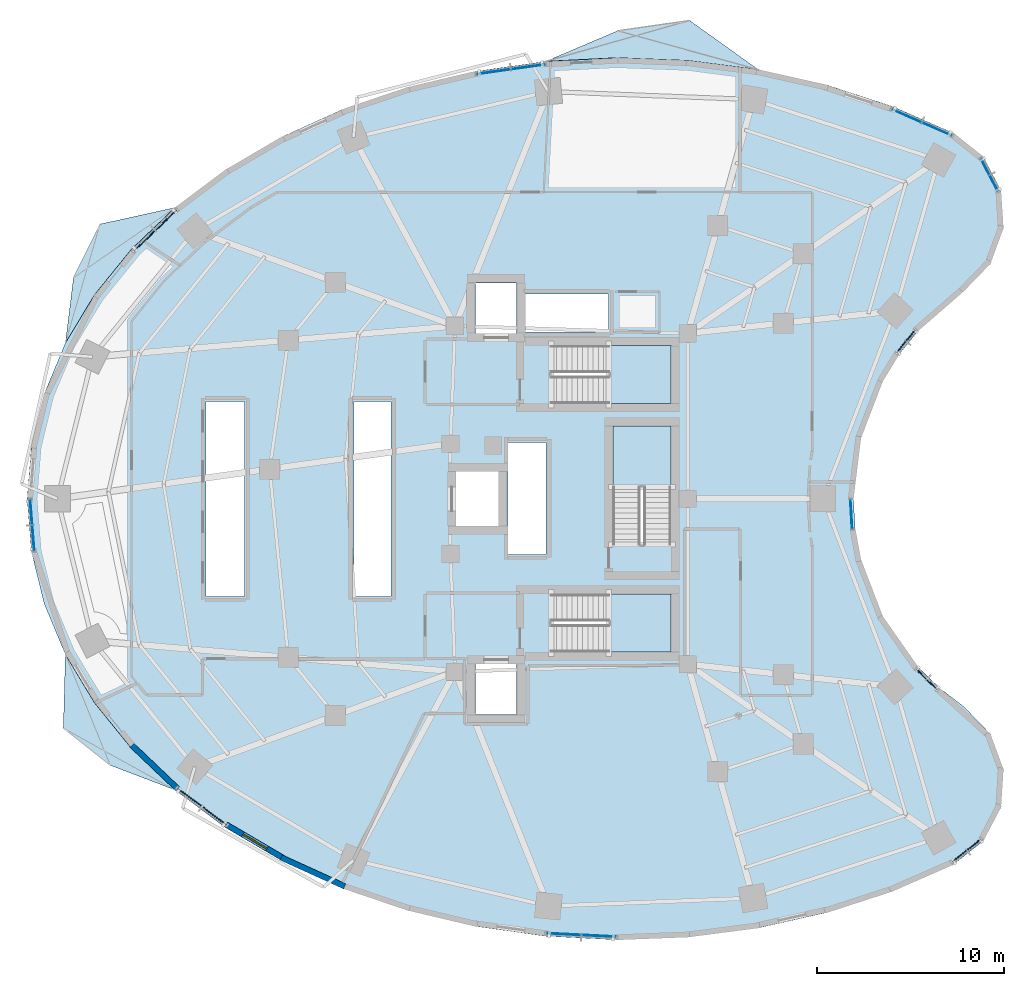
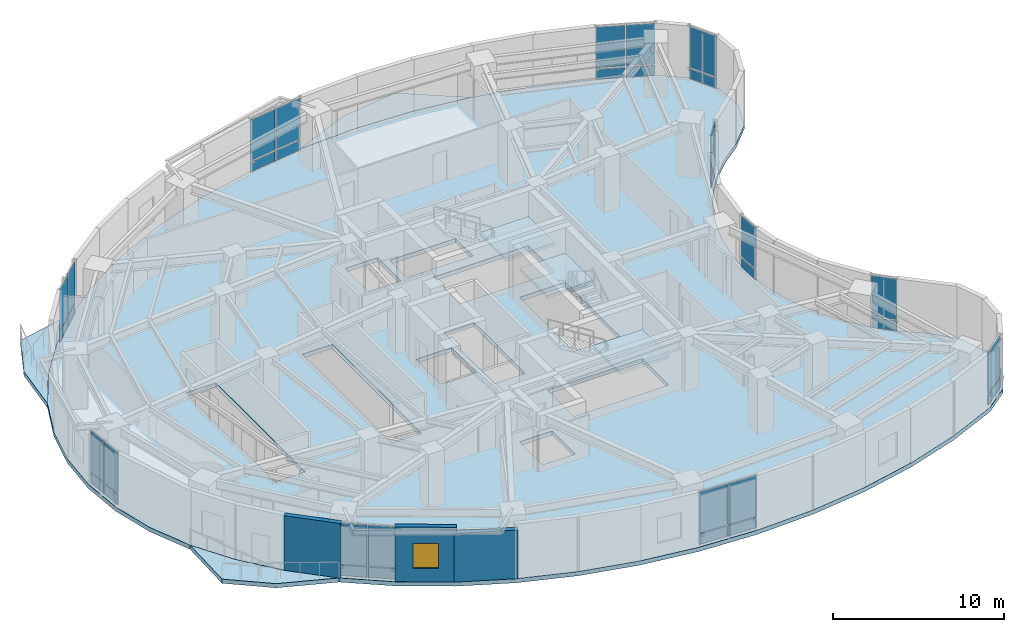
# One storey, part 7 of 14: 34 plates, 7 slabs, 3 walls, 1 window, 1 opening, 14 elements without a shape of their own.
"""IFC4 building model written with IfcOpenShell, lengths in metres."""

from ifc_helpers import new_model, si_unit, direction, frame, frame_2d, origin, origin_2d, place, context, subcontext, project, spatial, polyline, rectangle, outline, extrude, material, layer, layer_set, type_object, element, fill, aggregate, save


model = new_model("IFC4")

# Units and contexts
model_context = context("Model", 3, precision=1e-05, world=origin(), true_north=direction((0.0, 1.0)))
body_context = subcontext(model_context, "Body", "Model", "MODEL_VIEW")
ifc_project = project(units=[si_unit("LENGTHUNIT", "METRE"), si_unit("AREAUNIT", "SQUARE_METRE"), si_unit("VOLUMEUNIT", "CUBIC_METRE"), si_unit("PLANEANGLEUNIT", "RADIAN"), si_unit("MASSUNIT", "GRAM", prefix="KILO")], contexts=[model_context])

# Site, building, storey
site_placement = place(None, origin())
site = spatial("IfcSite", under=ifc_project, at=site_placement, CompositionType="ELEMENT")
building_placement = place(site_placement, origin())
building = spatial("IfcBuilding", under=site, at=building_placement, Name="Korentha Bioscience Tower", CompositionType="ELEMENT")
storey_placement = place(building_placement, frame((0.0, 0.0, 63.60009765625)))
storey = spatial("IfcBuildingStorey", under=building, at=storey_placement, Name="L14", CompositionType="ELEMENT", Elevation=63.60009765625)

# Curtain wall, plates
ifc_material_1 = material(Name="Thermally Broken Aluminium Frame", Category="aluminium")
ifc_layer_1 = layer(ifc_material_1, 0.219970703125, Name="Thermally Broken Aluminium Frame")
ifc_layer_set_1 = layer_set([ifc_layer_1], Name="Thermally Broken Aluminium Frame (CW-T2)")
curtain_wall_type_1 = type_object("IfcCurtainWallType", Name="Solar-Screened Lab Unitised Curtain Wall CW-T2", PredefinedType="USERDEFINED", material=ifc_layer_set_1)
curtain_wall_1_placement = place(storey_placement, origin())
curtain_wall_1 = element("IfcCurtainWall", 1, at=curtain_wall_1_placement, inside=storey, type_object=curtain_wall_type_1, Name="L14 Curtain Wall 01", ObjectType="UNITISED", PredefinedType="USERDEFINED")
ifc_material_2 = material(Name="Triple-Glazed Low-E Insulated Glass", Category="glass")
ifc_layer_2 = layer(ifc_material_2, 0.0439453125, Name="Triple-Glazed Low-E Insulated Glass")
ifc_layer_set_2 = layer_set([ifc_layer_2], Name="Triple-Glazed Low-E Insulated Glass (GL-44)")
plate_type = type_object("IfcPlateType", Name="Glazed Panel 44mm", PredefinedType="CURTAIN_PANEL", material=ifc_layer_set_2)
plate_1_placement = place(storey_placement, frame((50.893310546875, 46.780029296875, 0.08984375), z_axis=(0.0, 0.0, 1.0), x_axis=(-0.91593909057, 0.401317308828, 0.0)))
plate_1 = element("IfcPlate", 2, at=plate_1_placement, type_object=plate_type, Name="CW-L14-01 Bay 1 Glazed Panel 1", PredefinedType="CURTAIN_PANEL", context=body_context, shape_type="SweptSolid", body=[
    extrude(rectangle(XDim=1.701171875, YDim=0.0439453125, at=origin_2d()), origin(), (0.0, 0.0, 1.0), 0.715087890625),
])
plate_2_placement = place(storey_placement, frame((50.893310546875, 46.780029296875, 0.894775390625), z_axis=(0.0, 0.0, 1.0), x_axis=(-0.91593909057, 0.401317308828, 0.0)))
plate_2 = element("IfcPlate", 3, at=plate_2_placement, type_object=plate_type, Name="CW-L14-01 Bay 1 Glazed Panel 2", PredefinedType="CURTAIN_PANEL", context=body_context, shape_type="SweptSolid", body=[
    extrude(rectangle(XDim=1.701171875, YDim=0.0439453125, at=origin_2d()), origin(), (0.0, 0.0, 1.0), 2.9150390625),
])
plate_3_placement = place(storey_placement, frame((49.25244140625, 47.498779296875, 0.08984375), z_axis=(0.0, 0.0, 1.0), x_axis=(-0.91593909057, 0.401317308828, 0.0)))
plate_3 = element("IfcPlate", 4, at=plate_3_placement, type_object=plate_type, Name="CW-L14-01 Bay 2 Glazed Panel 1", PredefinedType="CURTAIN_PANEL", context=body_context, shape_type="SweptSolid", body=[
    extrude(rectangle(XDim=1.701171875, YDim=0.0439453125, at=origin_2d()), origin(), (0.0, 0.0, 1.0), 0.715087890625),
])
plate_4_placement = place(storey_placement, frame((49.25244140625, 47.498779296875, 0.894775390625), z_axis=(0.0, 0.0, 1.0), x_axis=(-0.91593909057, 0.401317308828, 0.0)))
plate_4 = element("IfcPlate", 5, at=plate_4_placement, type_object=plate_type, Name="CW-L14-01 Bay 2 Glazed Panel 2", PredefinedType="CURTAIN_PANEL", context=body_context, shape_type="SweptSolid", body=[
    extrude(rectangle(XDim=1.701171875, YDim=0.0439453125, at=origin_2d()), origin(), (0.0, 0.0, 1.0), 2.9150390625),
])
aggregate(curtain_wall_1, [plate_1, plate_2, plate_3, plate_4])

curtain_wall_2_placement = place(storey_placement, origin())
curtain_wall_2 = element("IfcCurtainWall", 6, at=curtain_wall_2_placement, inside=storey, type_object=curtain_wall_type_1, Name="L14 Curtain Wall 07", ObjectType="UNITISED", PredefinedType="USERDEFINED")
plate_5_placement = place(storey_placement, frame((29.0224609375, 50.11572265625, 0.08984375), z_axis=(0.0, 0.0, 1.0), x_axis=(-0.990167372968, -0.139887717511, 0.0)))
plate_5 = element("IfcPlate", 7, at=plate_5_placement, type_object=plate_type, Name="CW-L14-07 Bay 1 Glazed Panel 1", PredefinedType="CURTAIN_PANEL", context=body_context, shape_type="SweptSolid", body=[
    extrude(rectangle(XDim=1.800537109375, YDim=0.0439453125, at=origin_2d()), origin(), (0.0, 0.0, 1.0), 0.715087890625),
])
plate_6_placement = place(storey_placement, frame((29.0224609375, 50.11572265625, 0.894775390625), z_axis=(0.0, 0.0, 1.0), x_axis=(-0.990167372968, -0.139887717511, 0.0)))
plate_6 = element("IfcPlate", 8, at=plate_6_placement, type_object=plate_type, Name="CW-L14-07 Bay 1 Glazed Panel 2", PredefinedType="CURTAIN_PANEL", context=body_context, shape_type="SweptSolid", body=[
    extrude(rectangle(XDim=1.800537109375, YDim=0.0439453125, at=origin_2d()), origin(), (0.0, 0.0, 1.0), 2.9150390625),
])
plate_7_placement = place(storey_placement, frame((27.150634765625, 49.851318359375, 0.08984375), z_axis=(0.0, 0.0, 1.0), x_axis=(-0.990167372968, -0.139887717511, 0.0)))
plate_7 = element("IfcPlate", 9, at=plate_7_placement, type_object=plate_type, Name="CW-L14-07 Bay 2 Glazed Panel 1", PredefinedType="CURTAIN_PANEL", context=body_context, shape_type="SweptSolid", body=[
    extrude(rectangle(XDim=1.800537109375, YDim=0.0439453125, at=origin_2d()), origin(), (0.0, 0.0, 1.0), 0.715087890625),
])
plate_8_placement = place(storey_placement, frame((27.150634765625, 49.851318359375, 0.894775390625), z_axis=(0.0, 0.0, 1.0), x_axis=(-0.990167372968, -0.139887717511, 0.0)))
plate_8 = element("IfcPlate", 10, at=plate_8_placement, type_object=plate_type, Name="CW-L14-07 Bay 2 Glazed Panel 2", PredefinedType="CURTAIN_PANEL", context=body_context, shape_type="SweptSolid", body=[
    extrude(rectangle(XDim=1.800537109375, YDim=0.0439453125, at=origin_2d()), origin(), (0.0, 0.0, 1.0), 2.9150390625),
])
aggregate(curtain_wall_2, [plate_5, plate_6, plate_7, plate_8])

curtain_wall_3_placement = place(storey_placement, origin())
curtain_wall_3 = element("IfcCurtainWall", 11, at=curtain_wall_3_placement, inside=storey, type_object=curtain_wall_type_1, Name="L14 Curtain Wall 13", ObjectType="UNITISED", PredefinedType="USERDEFINED")
plate_9_placement = place(storey_placement, frame((9.643798828125, 41.9091796875, 0.08984375), z_axis=(0.0, 0.0, 1.0), x_axis=(-0.723641761581, -0.690175775361, 0.0)))
plate_9 = element("IfcPlate", 12, at=plate_9_placement, type_object=plate_type, Name="CW-L14-13 Bay 1 Glazed Panel 1", PredefinedType="CURTAIN_PANEL", context=body_context, shape_type="SweptSolid", body=[
    extrude(rectangle(XDim=1.5263671875, YDim=0.0439453125, at=origin_2d()), origin(), (0.0, 0.0, 1.0), 0.715087890625),
])
plate_10_placement = place(storey_placement, frame((9.643798828125, 41.9091796875, 0.894775390625), z_axis=(0.0, 0.0, 1.0), x_axis=(-0.723641761581, -0.690175775361, 0.0)))
plate_10 = element("IfcPlate", 13, at=plate_10_placement, type_object=plate_type, Name="CW-L14-13 Bay 1 Glazed Panel 2", PredefinedType="CURTAIN_PANEL", context=body_context, shape_type="SweptSolid", body=[
    extrude(rectangle(XDim=1.5263671875, YDim=0.0439453125, at=origin_2d()), origin(), (0.0, 0.0, 1.0), 2.9150390625),
])
plate_11_placement = place(storey_placement, frame((8.47412109375, 40.793701171875, 0.08984375), z_axis=(0.0, 0.0, 1.0), x_axis=(-0.723641761581, -0.690175775361, 0.0)))
plate_11 = element("IfcPlate", 14, at=plate_11_placement, type_object=plate_type, Name="CW-L14-13 Bay 2 Glazed Panel 1", PredefinedType="CURTAIN_PANEL", context=body_context, shape_type="SweptSolid", body=[
    extrude(rectangle(XDim=1.5263671875, YDim=0.0439453125, at=origin_2d()), origin(), (0.0, 0.0, 1.0), 0.715087890625),
])
plate_12_placement = place(storey_placement, frame((8.47412109375, 40.793701171875, 0.894775390625), z_axis=(0.0, 0.0, 1.0), x_axis=(-0.723641761581, -0.690175775361, 0.0)))
plate_12 = element("IfcPlate", 15, at=plate_12_placement, type_object=plate_type, Name="CW-L14-13 Bay 2 Glazed Panel 2", PredefinedType="CURTAIN_PANEL", context=body_context, shape_type="SweptSolid", body=[
    extrude(rectangle(XDim=1.5263671875, YDim=0.0439453125, at=origin_2d()), origin(), (0.0, 0.0, 1.0), 2.9150390625),
])
aggregate(curtain_wall_3, [plate_9, plate_10, plate_11, plate_12])

curtain_wall_4_placement = place(storey_placement, origin())
curtain_wall_4 = element("IfcCurtainWall", 16, at=curtain_wall_4_placement, inside=storey, type_object=curtain_wall_type_1, Name="L14 Curtain Wall 19", ObjectType="UNITISED", PredefinedType="USERDEFINED")
plate_13_placement = place(storey_placement, frame((2.4169921875, 26.302734375, 0.08984375), z_axis=(0.0, 0.0, 1.0), x_axis=(0.080820466375, -0.996728675325, 0.0)))
plate_13 = element("IfcPlate", 17, at=plate_13_placement, type_object=plate_type, Name="CW-L14-19 Bay 1 Glazed Panel 1", PredefinedType="CURTAIN_PANEL", context=body_context, shape_type="SweptSolid", body=[
    extrude(rectangle(XDim=1.324951171875, YDim=0.0439453125, at=origin_2d()), origin(), (0.0, 0.0, 1.0), 0.715087890625),
])
plate_14_placement = place(storey_placement, frame((2.4169921875, 26.302734375, 0.894775390625), z_axis=(0.0, 0.0, 1.0), x_axis=(0.080820466375, -0.996728675325, 0.0)))
plate_14 = element("IfcPlate", 18, at=plate_14_placement, type_object=plate_type, Name="CW-L14-19 Bay 1 Glazed Panel 2", PredefinedType="CURTAIN_PANEL", context=body_context, shape_type="SweptSolid", body=[
    extrude(rectangle(XDim=1.324951171875, YDim=0.0439453125, at=origin_2d()), origin(), (0.0, 0.0, 1.0), 2.9150390625),
])
plate_15_placement = place(storey_placement, frame((2.531494140625, 24.892333984375, 0.08984375), z_axis=(0.0, 0.0, 1.0), x_axis=(0.080820466375, -0.996728675325, 0.0)))
plate_15 = element("IfcPlate", 19, at=plate_15_placement, type_object=plate_type, Name="CW-L14-19 Bay 2 Glazed Panel 1", PredefinedType="CURTAIN_PANEL", context=body_context, shape_type="SweptSolid", body=[
    extrude(rectangle(XDim=1.324951171875, YDim=0.0439453125, at=origin_2d()), origin(), (0.0, 0.0, 1.0), 0.715087890625),
])
plate_16_placement = place(storey_placement, frame((2.531494140625, 24.892333984375, 0.894775390625), z_axis=(0.0, 0.0, 1.0), x_axis=(0.080820466375, -0.996728675325, 0.0)))
plate_16 = element("IfcPlate", 20, at=plate_16_placement, type_object=plate_type, Name="CW-L14-19 Bay 2 Glazed Panel 2", PredefinedType="CURTAIN_PANEL", context=body_context, shape_type="SweptSolid", body=[
    extrude(rectangle(XDim=1.324951171875, YDim=0.0439453125, at=origin_2d()), origin(), (0.0, 0.0, 1.0), 2.9150390625),
])
aggregate(curtain_wall_4, [plate_13, plate_14, plate_15, plate_16])

curtain_wall_5_placement = place(storey_placement, origin())
curtain_wall_5 = element("IfcCurtainWall", 21, at=curtain_wall_5_placement, inside=storey, type_object=curtain_wall_type_1, Name="L14 Curtain Wall 25", ObjectType="UNITISED", PredefinedType="USERDEFINED")
plate_17_placement = place(storey_placement, frame((10.892578125, 11.037109375, 0.08984375), z_axis=(0.0, 0.0, 1.0), x_axis=(0.800797909614, -0.598934644145, 0.0)))
plate_17 = element("IfcPlate", 22, at=plate_17_placement, type_object=plate_type, Name="CW-L14-25 Bay 1 Glazed Panel 1", PredefinedType="CURTAIN_PANEL", context=body_context, shape_type="SweptSolid", body=[
    extrude(rectangle(XDim=1.58544921875, YDim=0.0439453125, at=origin_2d()), origin(), (0.0, 0.0, 1.0), 0.715087890625),
])
plate_18_placement = place(storey_placement, frame((10.892578125, 11.037109375, 0.894775390625), z_axis=(0.0, 0.0, 1.0), x_axis=(0.800797909614, -0.598934644145, 0.0)))
plate_18 = element("IfcPlate", 23, at=plate_18_placement, type_object=plate_type, Name="CW-L14-25 Bay 1 Glazed Panel 2", PredefinedType="CURTAIN_PANEL", context=body_context, shape_type="SweptSolid", body=[
    extrude(rectangle(XDim=1.58544921875, YDim=0.0439453125, at=origin_2d()), origin(), (0.0, 0.0, 1.0), 2.9150390625),
])
plate_19_placement = place(storey_placement, frame((12.234375, 10.033447265625, 0.08984375), z_axis=(0.0, 0.0, 1.0), x_axis=(0.800797909614, -0.598934644145, 0.0)))
plate_19 = element("IfcPlate", 24, at=plate_19_placement, type_object=plate_type, Name="CW-L14-25 Bay 2 Glazed Panel 1", PredefinedType="CURTAIN_PANEL", context=body_context, shape_type="SweptSolid", body=[
    extrude(rectangle(XDim=1.58544921875, YDim=0.0439453125, at=origin_2d()), origin(), (0.0, 0.0, 1.0), 0.715087890625),
])
plate_20_placement = place(storey_placement, frame((12.234375, 10.033447265625, 0.894775390625), z_axis=(0.0, 0.0, 1.0), x_axis=(0.800797909614, -0.598934644145, 0.0)))
plate_20 = element("IfcPlate", 25, at=plate_20_placement, type_object=plate_type, Name="CW-L14-25 Bay 2 Glazed Panel 2", PredefinedType="CURTAIN_PANEL", context=body_context, shape_type="SweptSolid", body=[
    extrude(rectangle(XDim=1.58544921875, YDim=0.0439453125, at=origin_2d()), origin(), (0.0, 0.0, 1.0), 2.9150390625),
])
aggregate(curtain_wall_5, [plate_17, plate_18, plate_19, plate_20])

curtain_wall_6_placement = place(storey_placement, origin())
curtain_wall_6 = element("IfcCurtainWall", 26, at=curtain_wall_6_placement, inside=storey, type_object=curtain_wall_type_1, Name="L14 Curtain Wall 31", ObjectType="UNITISED", PredefinedType="USERDEFINED")
plate_21_placement = place(storey_placement, frame((30.90478515625, 3.70458984375, 0.08984375), z_axis=(0.0, 0.0, 1.0), x_axis=(0.998730551641, -0.050371472279, 0.0)))
plate_21 = element("IfcPlate", 27, at=plate_21_placement, type_object=plate_type, Name="CW-L14-31 Bay 1 Glazed Panel 1", PredefinedType="CURTAIN_PANEL", context=body_context, shape_type="SweptSolid", body=[
    extrude(rectangle(XDim=1.8134765625, YDim=0.0439453125, at=origin_2d()), origin(), (0.0, 0.0, 1.0), 0.715087890625),
])
plate_22_placement = place(storey_placement, frame((30.90478515625, 3.70458984375, 0.894775390625), z_axis=(0.0, 0.0, 1.0), x_axis=(0.998730551641, -0.050371472279, 0.0)))
plate_22 = element("IfcPlate", 28, at=plate_22_placement, type_object=plate_type, Name="CW-L14-31 Bay 1 Glazed Panel 2", PredefinedType="CURTAIN_PANEL", context=body_context, shape_type="SweptSolid", body=[
    extrude(rectangle(XDim=1.8134765625, YDim=0.0439453125, at=origin_2d()), origin(), (0.0, 0.0, 1.0), 2.9150390625),
])
plate_23_placement = place(storey_placement, frame((32.805908203125, 3.608642578125, 0.08984375), z_axis=(0.0, 0.0, 1.0), x_axis=(0.998730551641, -0.050371472279, 0.0)))
plate_23 = element("IfcPlate", 29, at=plate_23_placement, type_object=plate_type, Name="CW-L14-31 Bay 2 Glazed Panel 1", PredefinedType="CURTAIN_PANEL", context=body_context, shape_type="SweptSolid", body=[
    extrude(rectangle(XDim=1.8134765625, YDim=0.0439453125, at=origin_2d()), origin(), (0.0, 0.0, 1.0), 0.715087890625),
])
plate_24_placement = place(storey_placement, frame((32.805908203125, 3.608642578125, 0.894775390625), z_axis=(0.0, 0.0, 1.0), x_axis=(0.998730551641, -0.050371472279, 0.0)))
plate_24 = element("IfcPlate", 30, at=plate_24_placement, type_object=plate_type, Name="CW-L14-31 Bay 2 Glazed Panel 2", PredefinedType="CURTAIN_PANEL", context=body_context, shape_type="SweptSolid", body=[
    extrude(rectangle(XDim=1.8134765625, YDim=0.0439453125, at=origin_2d()), origin(), (0.0, 0.0, 1.0), 2.9150390625),
])
aggregate(curtain_wall_6, [plate_21, plate_22, plate_23, plate_24])

curtain_wall_7_placement = place(storey_placement, origin())
curtain_wall_7 = element("IfcCurtainWall", 31, at=curtain_wall_7_placement, inside=storey, type_object=curtain_wall_type_1, Name="L14 Curtain Wall 37", ObjectType="UNITISED", PredefinedType="USERDEFINED")
plate_25_placement = place(storey_placement, frame((52.4755859375, 8.19140625, 0.08984375), z_axis=(0.0, 0.0, 1.0), x_axis=(0.782287851332, 0.62291710336, 0.0)))
plate_25 = element("IfcPlate", 32, at=plate_25_placement, type_object=plate_type, Name="CW-L14-37 Bay 1 Glazed Panel 1", PredefinedType="CURTAIN_PANEL", context=body_context, shape_type="SweptSolid", body=[
    extrude(rectangle(XDim=1.927734375, YDim=0.0439453125, at=origin_2d()), origin(), (0.0, 0.0, 1.0), 0.715087890625),
])
plate_26_placement = place(storey_placement, frame((52.4755859375, 8.19140625, 0.894775390625), z_axis=(0.0, 0.0, 1.0), x_axis=(0.782287851332, 0.62291710336, 0.0)))
plate_26 = element("IfcPlate", 33, at=plate_26_placement, type_object=plate_type, Name="CW-L14-37 Bay 1 Glazed Panel 2", PredefinedType="CURTAIN_PANEL", context=body_context, shape_type="SweptSolid", body=[
    extrude(rectangle(XDim=1.927734375, YDim=0.0439453125, at=origin_2d()), origin(), (0.0, 0.0, 1.0), 2.9150390625),
])
aggregate(curtain_wall_7, [plate_25, plate_26])

curtain_wall_8_placement = place(storey_placement, origin())
curtain_wall_8 = element("IfcCurtainWall", 34, at=curtain_wall_8_placement, inside=storey, type_object=curtain_wall_type_1, Name="L14 Curtain Wall 43", ObjectType="UNITISED", PredefinedType="USERDEFINED")
plate_27_placement = place(storey_placement, frame((50.333251953125, 17.335693359375, 0.08984375), z_axis=(0.0, 0.0, 1.0), x_axis=(-0.713279246754, 0.700879958445, 0.0)))
plate_27 = element("IfcPlate", 35, at=plate_27_placement, type_object=plate_type, Name="CW-L14-43 Bay 1 Glazed Panel 1", PredefinedType="CURTAIN_PANEL", context=body_context, shape_type="SweptSolid", body=[
    extrude(rectangle(XDim=1.537841796875, YDim=0.0439453125, at=origin_2d()), origin(), (0.0, 0.0, 1.0), 0.715087890625),
])
plate_28_placement = place(storey_placement, frame((50.333251953125, 17.335693359375, 0.894775390625), z_axis=(0.0, 0.0, 1.0), x_axis=(-0.713279246754, 0.700879958445, 0.0)))
plate_28 = element("IfcPlate", 36, at=plate_28_placement, type_object=plate_type, Name="CW-L14-43 Bay 1 Glazed Panel 2", PredefinedType="CURTAIN_PANEL", context=body_context, shape_type="SweptSolid", body=[
    extrude(rectangle(XDim=1.537841796875, YDim=0.0439453125, at=origin_2d()), origin(), (0.0, 0.0, 1.0), 2.9150390625),
])
aggregate(curtain_wall_8, [plate_27, plate_28])

ifc_layer_3 = layer(ifc_material_1, 0.219970703125, Name="Thermally Broken Aluminium Frame")
ifc_layer_set_3 = layer_set([ifc_layer_3], Name="Thermally Broken Aluminium Frame (CW-T1)")
curtain_wall_type_2 = type_object("IfcCurtainWallType", Name="Standard Bioscience Lab Unitised Curtain Wall CW-T1", PredefinedType="USERDEFINED", material=ifc_layer_set_3)
curtain_wall_9_placement = place(storey_placement, origin())
curtain_wall_9 = element("IfcCurtainWall", 37, at=curtain_wall_9_placement, inside=storey, type_object=curtain_wall_type_2, Name="L14 Curtain Wall 49", ObjectType="UNITISED", PredefinedType="USERDEFINED")
plate_29_placement = place(storey_placement, frame((46.305908203125, 26.1728515625, 0.08984375), z_axis=(0.0, 0.0, 1.0), x_axis=(-0.061008272998, 0.998137260413, 0.0)))
plate_29 = element("IfcPlate", 38, at=plate_29_placement, type_object=plate_type, Name="CW-L14-49 Bay 1 Glazed Panel 1", PredefinedType="CURTAIN_PANEL", context=body_context, shape_type="SweptSolid", body=[
    extrude(rectangle(XDim=1.537841796875, YDim=0.0439453125, at=origin_2d()), origin(), (0.0, 0.0, 1.0), 0.715087890625),
])
plate_30_placement = place(storey_placement, frame((46.305908203125, 26.1728515625, 0.894775390625), z_axis=(0.0, 0.0, 1.0), x_axis=(-0.061008272998, 0.998137260413, 0.0)))
plate_30 = element("IfcPlate", 39, at=plate_30_placement, type_object=plate_type, Name="CW-L14-49 Bay 1 Glazed Panel 2", PredefinedType="CURTAIN_PANEL", context=body_context, shape_type="SweptSolid", body=[
    extrude(rectangle(XDim=1.537841796875, YDim=0.0439453125, at=origin_2d()), origin(), (0.0, 0.0, 1.0), 2.9150390625),
])
aggregate(curtain_wall_9, [plate_29, plate_30])

curtain_wall_10_placement = place(storey_placement, origin())
curtain_wall_10 = element("IfcCurtainWall", 40, at=curtain_wall_10_placement, inside=storey, type_object=curtain_wall_type_1, Name="L14 Curtain Wall 55", ObjectType="UNITISED", PredefinedType="USERDEFINED")
plate_31_placement = place(storey_placement, frame((49.226318359375, 35.434814453125, 0.08984375), z_axis=(0.0, 0.0, 1.0), x_axis=(0.622520324648, 0.782603632371, 0.0)))
plate_31 = element("IfcPlate", 41, at=plate_31_placement, type_object=plate_type, Name="CW-L14-55 Bay 1 Glazed Panel 1", PredefinedType="CURTAIN_PANEL", context=body_context, shape_type="SweptSolid", body=[
    extrude(rectangle(XDim=1.537841796875, YDim=0.0439453125, at=origin_2d()), origin(), (0.0, 0.0, 1.0), 0.715087890625),
])
plate_32_placement = place(storey_placement, frame((49.226318359375, 35.434814453125, 0.894775390625), z_axis=(0.0, 0.0, 1.0), x_axis=(0.622520324648, 0.782603632371, 0.0)))
plate_32 = element("IfcPlate", 42, at=plate_32_placement, type_object=plate_type, Name="CW-L14-55 Bay 1 Glazed Panel 2", PredefinedType="CURTAIN_PANEL", context=body_context, shape_type="SweptSolid", body=[
    extrude(rectangle(XDim=1.537841796875, YDim=0.0439453125, at=origin_2d()), origin(), (0.0, 0.0, 1.0), 2.9150390625),
])
aggregate(curtain_wall_10, [plate_31, plate_32])

curtain_wall_11_placement = place(storey_placement, origin())
curtain_wall_11 = element("IfcCurtainWall", 43, at=curtain_wall_11_placement, inside=storey, type_object=curtain_wall_type_1, Name="L14 Curtain Wall 61", ObjectType="UNITISED", PredefinedType="USERDEFINED")
plate_33_placement = place(storey_placement, frame((53.6962890625, 44.32958984375, 0.08984375), z_axis=(0.0, 0.0, 1.0), x_axis=(-0.463008597697, 0.886353788539, 0.0)))
plate_33 = element("IfcPlate", 44, at=plate_33_placement, type_object=plate_type, Name="CW-L14-61 Bay 1 Glazed Panel 1", PredefinedType="CURTAIN_PANEL", context=body_context, shape_type="SweptSolid", body=[
    extrude(rectangle(XDim=1.927734375, YDim=0.0439453125, at=origin_2d()), origin(), (0.0, 0.0, 1.0), 0.715087890625),
])
plate_34_placement = place(storey_placement, frame((53.6962890625, 44.32958984375, 0.894775390625), z_axis=(0.0, 0.0, 1.0), x_axis=(-0.463008597697, 0.886353788539, 0.0)))
plate_34 = element("IfcPlate", 45, at=plate_34_placement, type_object=plate_type, Name="CW-L14-61 Bay 1 Glazed Panel 2", PredefinedType="CURTAIN_PANEL", context=body_context, shape_type="SweptSolid", body=[
    extrude(rectangle(XDim=1.927734375, YDim=0.0439453125, at=origin_2d()), origin(), (0.0, 0.0, 1.0), 2.9150390625),
])
aggregate(curtain_wall_11, [plate_33, plate_34])

# Slab
ifc_material_3 = material(Name="Concrete C50", Category="concrete")
ifc_layer_4 = layer(ifc_material_3, 0.300048828125, Name="Concrete C50")
ifc_layer_set_4 = layer_set([ifc_layer_4], Name="Concrete C50 (SL-L300)")
slab_type_1 = type_object("IfcSlabType", Name="Laboratory Vibration-Controlled Slab 300", PredefinedType="FLOOR", material=ifc_layer_set_4)
slab_1_placement = place(storey_placement, frame((0.0, 0.0, -0.300048828125)))
element("IfcSlab", 46, at=slab_1_placement, inside=storey, type_object=slab_type_1, Name="L14 Tower Structural Floor Slab", PredefinedType="FLOOR", context=body_context, shape_type="SweptSolid", body=[
    extrude(outline(polyline([(51.7822265625, 46.565185546875), (48.49169921875, 48.0068359375), (44.9921875, 49.145263671875), (41.33349609375, 49.9638671875), (37.569091796875, 50.450927734375), (33.75341796875, 50.599365234375), (29.94091796875, 50.406982421875), (26.187255859375, 49.876708984375), (22.54638671875, 49.01611328125), (19.07080078125, 47.837646484375), (15.810791015625, 46.358154296875), (12.8134765625, 44.599365234375), (10.1220703125, 42.58642578125), (7.775390625, 40.348388671875), (5.807373046875, 37.91748046875), (4.246337890625, 35.3291015625), (3.114990234375, 32.62060546875), (2.4296875, 29.830810546875), (2.199951171875, 27.0), (2.4296875, 24.169189453125), (3.114990234375, 21.37939453125), (4.246337890625, 18.6708984375), (5.807373046875, 16.08251953125), (7.775390625, 13.651611328125), (10.1220703125, 11.41357421875), (12.8134765625, 9.400634765625), (15.810791015625, 7.641845703125), (19.07080078125, 6.162353515625), (22.54638671875, 4.98388671875), (26.187255859375, 4.123291015625), (29.94091796875, 3.593017578125), (33.75341796875, 3.400634765625), (37.569091796875, 3.549072265625), (41.33349609375, 4.0361328125), (44.9921875, 4.854736328125), (48.49169921875, 5.9931640625), (51.7822265625, 7.434814453125), (53.368408203125, 8.69775390625), (54.307373046875, 10.4951171875), (54.4384765625, 12.518310546875), (53.739013671875, 14.421630859375), (52.3291015625, 15.878662109375), (51.029541015625, 16.875732421875), (49.861328125, 18.023681640625), (48.841796875, 19.3056640625), (47.98583984375, 20.7021484375), (47.306640625, 22.192626953125), (46.814208984375, 23.754638671875), (46.515625, 25.365234375), (46.415771484375, 27.0), (46.515625, 28.634765625), (46.814208984375, 30.245361328125), (47.306640625, 31.807373046875), (47.98583984375, 33.2978515625), (48.841796875, 34.6943359375), (49.861328125, 35.976318359375), (51.029541015625, 37.124267578125), (52.3291015625, 38.121337890625), (53.739013671875, 39.578369140625), (54.4384765625, 41.481689453125), (54.307373046875, 43.5048828125), (53.368408203125, 45.30224609375), (51.7822265625, 46.565185546875)]), holes=[polyline([(30.25, 32.10009765625), (36.64990234375, 32.10009765625), (36.64990234375, 35.199951171875), (30.25, 35.199951171875), (30.25, 32.10009765625)]), polyline([(30.25, 18.800048828125), (36.64990234375, 18.800048828125), (36.64990234375, 21.89990234375), (30.25, 21.89990234375), (30.25, 18.800048828125)]), polyline([(36.64990234375, 24.550048828125), (36.64990234375, 30.89990234375), (33.550048828125, 30.89990234375), (33.550048828125, 24.550048828125), (36.64990234375, 24.550048828125)]), polyline([(11.780029296875, 21.780029296875), (13.820068359375, 21.780029296875), (13.820068359375, 32.219970703125), (11.780029296875, 32.219970703125), (11.780029296875, 21.780029296875)]), polyline([(19.679931640625, 21.780029296875), (21.669921875, 21.780029296875), (21.669921875, 32.219970703125), (19.679931640625, 32.219970703125), (19.679931640625, 21.780029296875)]), polyline([(27.929931640625, 24.030029296875), (29.969970703125, 24.030029296875), (29.969970703125, 30.02001953125), (27.929931640625, 30.02001953125), (27.929931640625, 24.030029296875)]), polyline([(28.860107421875, 35.93994140625), (33.31005859375, 35.93994140625), (33.31005859375, 37.9599609375), (28.860107421875, 37.9599609375), (28.860107421875, 35.93994140625)]), polyline([(26.199951171875, 15.449951171875), (28.39990234375, 15.449951171875), (28.39990234375, 18.14990234375), (26.199951171875, 18.14990234375), (26.199951171875, 15.449951171875)]), polyline([(26.199951171875, 35.85009765625), (28.39990234375, 35.85009765625), (28.39990234375, 38.550048828125), (26.199951171875, 38.550048828125), (26.199951171875, 35.85009765625)]), polyline([(25.14990234375, 25.550048828125), (27.550048828125, 25.550048828125), (27.550048828125, 28.449951171875), (25.14990234375, 28.449951171875), (25.14990234375, 25.550048828125)])]), origin(), (0.0, 0.0, 1.0), 0.300048828125),
])

# Stair, slab
ifc_material_4 = material(Name="Precast Concrete C50", Category="concrete")
stair_type = type_object("IfcStairType", Name="Core Exit Dog-Leg Stair 1450", PredefinedType="HALF_TURN_STAIR", material=ifc_material_4)
stair_1_placement = place(storey_placement, origin())
stair_1 = element("IfcStair", 47, at=stair_1_placement, inside=storey, type_object=stair_type, Name="L14 Tower North Pressurized Exit Stair ST-1", PredefinedType="HALF_TURN_STAIR")
ifc_layer_5 = layer(ifc_material_3, 0.199951171875, Name="Concrete C50")
ifc_layer_set_5 = layer_set([ifc_layer_5], Name="Concrete C50 (SL-LND)")
slab_type_2 = type_object("IfcSlabType", Name="Landing Slab 200", PredefinedType="LANDING", material=ifc_layer_set_5)
slab_2_placement = place(storey_placement, frame((0.0, 0.0, 1.89990234375)))
slab_2 = element("IfcSlab", 48, at=slab_2_placement, type_object=slab_type_2, Name="ST-1 landing 1", PredefinedType="LANDING", context=body_context, shape_type="SweptSolid", body=[
    extrude(outline(polyline([(33.330078125, 32.10009765625), (36.64990234375, 32.10009765625), (36.64990234375, 35.199951171875), (33.330078125, 35.199951171875), (33.330078125, 32.10009765625)])), origin(), (0.0, 0.0, 1.0), 0.199951171875),
])
aggregate(stair_1, [slab_2])

stair_2_placement = place(storey_placement, origin())
stair_2 = element("IfcStair", 49, at=stair_2_placement, inside=storey, type_object=stair_type, Name="L14 Tower South Pressurized Exit Stair ST-2", PredefinedType="HALF_TURN_STAIR")
slab_3_placement = place(storey_placement, frame((0.0, 0.0, 1.89990234375)))
slab_3 = element("IfcSlab", 50, at=slab_3_placement, type_object=slab_type_2, Name="ST-2 landing 1", PredefinedType="LANDING", context=body_context, shape_type="SweptSolid", body=[
    extrude(outline(polyline([(33.330078125, 18.800048828125), (36.64990234375, 18.800048828125), (36.64990234375, 21.89990234375), (33.330078125, 21.89990234375), (33.330078125, 18.800048828125)])), origin(), (0.0, 0.0, 1.0), 0.199951171875),
])
aggregate(stair_2, [slab_3])

stair_3_placement = place(storey_placement, origin())
stair_3 = element("IfcStair", 51, at=stair_3_placement, inside=storey, type_object=stair_type, Name="L14 Tower Central Pressurized Exit Stair ST-3", PredefinedType="HALF_TURN_STAIR")
slab_4_placement = place(storey_placement, frame((0.0, 0.0, 1.89990234375)))
slab_4 = element("IfcSlab", 52, at=slab_4_placement, type_object=slab_type_2, Name="ST-3 landing 1", PredefinedType="LANDING", context=body_context, shape_type="SweptSolid", body=[
    extrude(outline(polyline([(36.64990234375, 27.6298828125), (36.64990234375, 30.89990234375), (33.550048828125, 30.89990234375), (33.550048828125, 27.6298828125), (36.64990234375, 27.6298828125)])), origin(), (0.0, 0.0, 1.0), 0.199951171875),
])
aggregate(stair_3, [slab_4])

# Slabs
ifc_layer_6 = layer(ifc_material_3, 0.300048828125, Name="Concrete C50")
ifc_layer_set_6 = layer_set([ifc_layer_6], Name="Concrete C50 (BS-240)")
slab_type_3 = type_object("IfcSlabType", Name="Sawtooth Sun-Ledge Balcony Slab 240", PredefinedType="USERDEFINED", material=ifc_layer_set_6)
slab_5_placement = place(storey_placement, frame((0.0, 0.0, -0.300048828125)))
element("IfcSlab", 53, at=slab_5_placement, inside=storey, type_object=slab_type_3, Name="L14 Sun-Ledge Balcony 01", ObjectType="BALCONY", PredefinedType="USERDEFINED", context=body_context, shape_type="SweptSolid", body=[
    extrude(outline(polyline([(29.94091796875, 50.406982421875), (33.75341796875, 50.599365234375), (37.569091796875, 50.450927734375), (41.33349609375, 49.9638671875), (37.65283203125, 52.599365234375), (33.809814453125, 52.048095703125), (29.94091796875, 50.406982421875)])), origin(), (0.0, 0.0, 1.0), 0.300048828125),
])
slab_6_placement = place(storey_placement, frame((0.0, 0.0, -0.300048828125)))
element("IfcSlab", 54, at=slab_6_placement, inside=storey, type_object=slab_type_3, Name="L14 Sun-Ledge Balcony 02", ObjectType="BALCONY", PredefinedType="USERDEFINED", context=body_context, shape_type="SweptSolid", body=[
    extrude(outline(polyline([(4.246337890625, 35.3291015625), (5.807373046875, 37.91748046875), (7.775390625, 40.348388671875), (10.1220703125, 42.58642578125), (6.104248046875, 41.701171875), (4.680419921875, 38.830078125), (4.246337890625, 35.3291015625)])), origin(), (0.0, 0.0, 1.0), 0.300048828125),
])
slab_7_placement = place(storey_placement, frame((0.0, 0.0, -0.300048828125)))
element("IfcSlab", 55, at=slab_7_placement, inside=storey, type_object=slab_type_3, Name="L14 Sun-Ledge Balcony 03", ObjectType="BALCONY", PredefinedType="USERDEFINED", context=body_context, shape_type="SweptSolid", body=[
    extrude(outline(polyline([(10.1220703125, 11.41357421875), (7.775390625, 13.651611328125), (5.807373046875, 16.08251953125), (4.246337890625, 18.6708984375), (4.13623046875, 14.7294921875), (6.6484375, 12.7392578125), (10.1220703125, 11.41357421875)])), origin(), (0.0, 0.0, 1.0), 0.300048828125),
])

# Wall, opening, window
ifc_material_5 = material(Name="Honed Limestone Precast Concrete C40", Category="masonry")
ifc_layer_7 = layer(ifc_material_5, 0.300048828125, Name="Honed Limestone Precast Concrete C40")
ifc_layer_set_7 = layer_set([ifc_layer_7], Name="Honed Limestone Precast Concrete C40 (EW-ST300)")
wall_type = type_object("IfcWallType", Name="Honed Limestone Cavity Spandrel Wall 300", PredefinedType="STANDARD", material=ifc_layer_set_7)
wall_1_placement = place(storey_placement, frame((12.8427734375, 9.569091796875, 0.0), z_axis=(0.0, 0.0, 1.0), x_axis=(0.862473134325, -0.506102847817, 0.0)))
wall_1 = element("IfcWall", 56, at=wall_1_placement, inside=storey, type_object=wall_type, Name="L14 Honed Limestone Spandrel Wall 26", PredefinedType="STANDARD", context=body_context, shape_type="SweptSolid", body=[
    extrude(rectangle(XDim=3.59521484375, YDim=0.300048828125, at=frame_2d((1.797607421875, 0.0))), origin(), (0.0, 0.0, 1.0), 3.89990234375),
])
opening_placement = place(wall_1_placement, frame((1.047607421875, 0.0, 0.949951171875)))
opening = element("IfcOpeningElement", 57, at=opening_placement, cuts=wall_1, Name="Opening WN-02", PredefinedType="OPENING", context=body_context, shape_type="SweptSolid", body=[
    extrude(rectangle(XDim=1.5, YDim=1.800048828125, at=frame_2d((0.75, 0.89990234375))), frame((0.0, 0.1650390625, 0.0), z_axis=(0.0, -1.0, 0.0), x_axis=(1.0, 0.0, 0.0)), (0.0, 0.0, 1.0), 0.329833984375),
])
ifc_material_6 = material(Name="Thermally Broken Aluminium Triple Glazing", Category="aluminium")
window_type = type_object("IfcWindowType", Name="Acoustic Operable Office Window 1500x1800", PartitioningType="DOUBLE_PANEL_VERTICAL", PredefinedType="WINDOW", material=ifc_material_6)
window_placement = place(opening_placement, origin())
window = element("IfcWindow", 58, at=window_placement, inside=storey, type_object=window_type, Name="L14 Facade Window 26", OverallHeight=1.800048828125, OverallWidth=1.5, PartitioningType="DOUBLE_PANEL_VERTICAL", PredefinedType="WINDOW", context=body_context, shape_type="SweptSolid", body=[
    extrude(rectangle(XDim=1.5, YDim=1.800048828125, at=frame_2d((0.75, 0.89990234375))), frame((0.0, 0.030029296875, 0.0), z_axis=(0.0, -1.0, 0.0), x_axis=(1.0, 0.0, 0.0)), (0.0, 0.0, 1.0), 0.06005859375),
])
fill(opening, window)

# Walls
wall_2_placement = place(storey_placement, frame((7.81396484375, 13.80810546875, 0.0), z_axis=(0.0, 0.0, 1.0), x_axis=(0.72369587847, -0.69011902994, 0.0)))
element("IfcWall", 59, at=wall_2_placement, inside=storey, type_object=wall_type, Name="L14 Limestone Perimeter Closure Wall 24", PredefinedType="STANDARD", context=body_context, shape_type="SweptSolid", body=[
    extrude(rectangle(XDim=3.40283203125, YDim=0.300048828125, at=frame_2d((1.701416015625, 0.0))), origin(), (0.0, 0.0, 1.0), 3.89990234375),
])
wall_3_placement = place(storey_placement, frame((15.7958984375, 7.80224609375, 0.0), z_axis=(0.0, 0.0, 1.0), x_axis=(0.910623406862, -0.413237233166, 0.0)))
element("IfcWall", 60, at=wall_3_placement, inside=storey, type_object=wall_type, Name="L14 Limestone Perimeter Closure Wall 27", PredefinedType="STANDARD", context=body_context, shape_type="SweptSolid", body=[
    extrude(rectangle(XDim=3.73974609375, YDim=0.300048828125, at=frame_2d((1.869873046875, 0.0))), origin(), (0.0, 0.0, 1.0), 3.469970703125),
])

save(model, "model.ifc")
